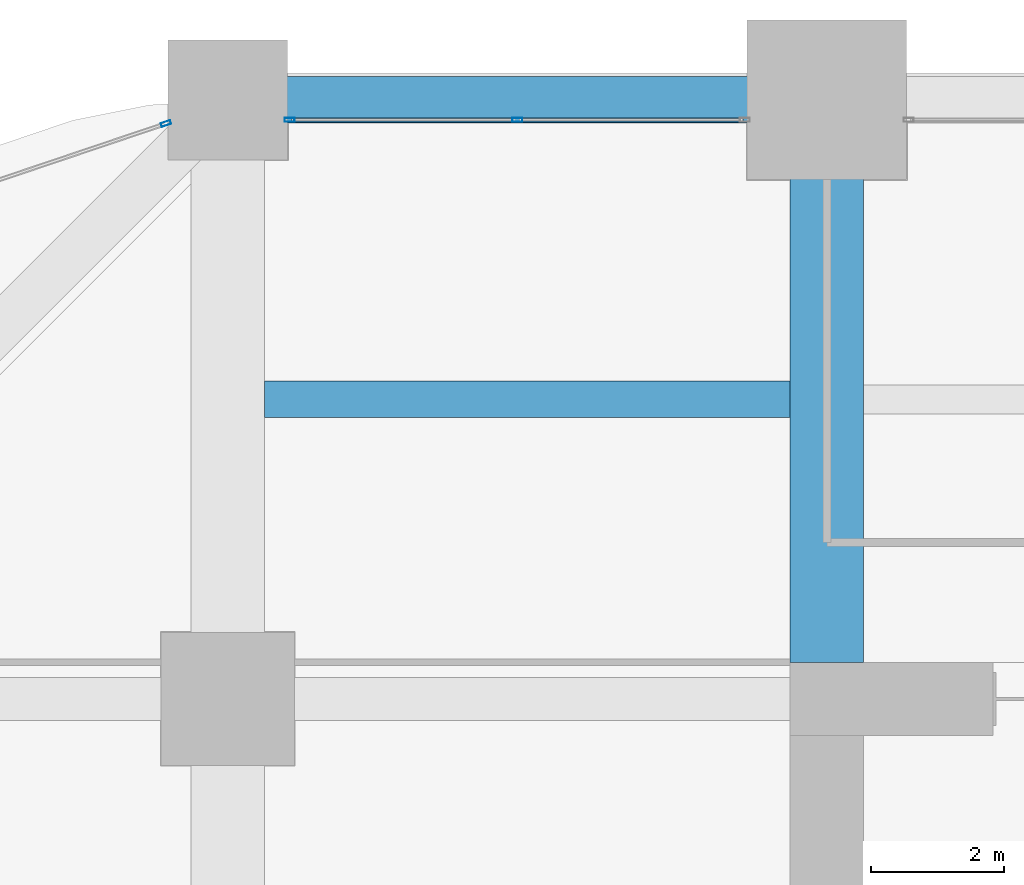
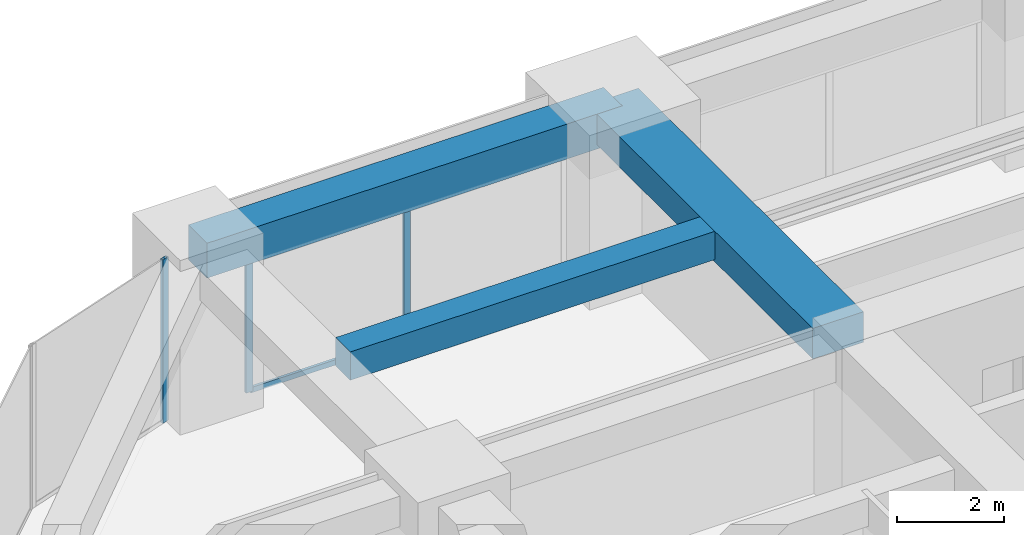
# One storey, part 27 of 39: 4 members, 3 beams, 2 elements without a shape of their own.
"""IFC4 building model written with IfcOpenShell, lengths in metres."""

from ifc_helpers import new_model, si_unit, direction, frame, origin, origin_2d, place, context, subcontext, project, spatial, rectangle, hollow_rectangle, extrude, material, material_profile, profile_set, type_object, element, aggregate, save


model = new_model("IFC4")

# Units and contexts
model_context = context("Model", 3, precision=1e-05, world=origin(), true_north=direction((0.0, 1.0)))
body_context = subcontext(model_context, "Body", "Model", "MODEL_VIEW")
ifc_project = project(units=[si_unit("LENGTHUNIT", "METRE"), si_unit("AREAUNIT", "SQUARE_METRE"), si_unit("VOLUMEUNIT", "CUBIC_METRE"), si_unit("PLANEANGLEUNIT", "RADIAN"), si_unit("MASSUNIT", "GRAM", prefix="KILO")], contexts=[model_context])

# Site, building, storey
site_placement = place(None, origin())
site = spatial("IfcSite", under=ifc_project, at=site_placement, CompositionType="ELEMENT")
building_placement = place(site_placement, origin())
building = spatial("IfcBuilding", under=site, at=building_placement, Name="Zorevar Civic Tower", CompositionType="ELEMENT")
storey_placement = place(building_placement, frame((0.0, 0.0, 117.0)))
storey = spatial("IfcBuildingStorey", under=building, at=storey_placement, Name="L28", CompositionType="ELEMENT", Elevation=117.0)

# Beams
ifc_material_1 = material(Name="Concrete C50/60", Category="concrete")
ifc_material_profile_1 = material_profile(ifc_material_1, rectangle(XDim=1.10009765625, YDim=0.699951171875, at=origin_2d()), Name="RC 1100x700")
ifc_profile_set_1 = profile_set([ifc_material_profile_1], Name="Concrete C50/60")
beam_type_1 = type_object("IfcBeamType", Name="Beam RC 1100x700", PredefinedType="BEAM", material=ifc_profile_set_1)
beam_1_placement = place(storey_placement, frame((18.0, 36.550048828125, 3.39990234375), z_axis=(0.0, 1.0, 0.0), x_axis=(-1.0, 0.0, 0.0)))
element("IfcBeam", 1, at=beam_1_placement, inside=storey, type_object=beam_type_1, Name="Girder L29", PredefinedType="BEAM", context=body_context, shape_type="SweptSolid", body=[
    extrude(rectangle(XDim=1.10009765625, YDim=0.699951171875, at=origin_2d()), origin(), (0.0, 0.0, 1.0), 8.449951171875),
])
ifc_material_2 = material(Name="Concrete C50/60", Category="concrete")
ifc_material_profile_2 = material_profile(ifc_material_2, rectangle(XDim=0.550048828125, YDim=0.64990234375, at=origin_2d()), Name="RC 550x650")
ifc_profile_set_2 = profile_set([ifc_material_profile_2], Name="Concrete C50/60")
beam_type_2 = type_object("IfcBeamType", Name="Beam RC 550x650", PredefinedType="BEAM", material=ifc_profile_set_2)
beam_2_placement = place(storey_placement, frame((9.550048828125, 40.5, 3.425048828125), z_axis=(1.0, 0.0, 0.0), x_axis=(0.0, 1.0, 0.0)))
element("IfcBeam", 2, at=beam_2_placement, inside=storey, type_object=beam_type_2, Name="Secondary beam L29", PredefinedType="BEAM", context=body_context, shape_type="SweptSolid", body=[
    extrude(rectangle(XDim=0.550048828125, YDim=0.64990234375, at=origin_2d()), origin(), (0.0, 0.0, 1.0), 7.89990234375),
])

# Curtain wall, members
ifc_material_3 = material(Name="Dark grey solar-control glass in black aluminium frame", Category="aluminium")
curtain_wall_type = type_object("IfcCurtainWallType", Name="Curtain wall CW3 mid zone", PredefinedType="NOTDEFINED", material=ifc_material_3)
curtain_wall_1_placement = place(storey_placement, origin())
curtain_wall_1 = element("IfcCurtainWall", 3, at=curtain_wall_1_placement, inside=storey, type_object=curtain_wall_type, Name="CW3 L28", PredefinedType="NOTDEFINED")
ifc_material_4 = material(Name="Aluminium, black anodised", Category="aluminium")
ifc_material_profile_3 = material_profile(ifc_material_4, hollow_rectangle(XDim=0.06005859375, YDim=0.14990234375, WallThickness=0.00390625, at=origin_2d()), Name="AL 150x60x4")
ifc_profile_set_3 = profile_set([ifc_material_profile_3], Name="Aluminium, black anodised")
member_type_1 = type_object("IfcMemberType", Name="CW3 mullion AL 150x60x4", PredefinedType="MULLION", material=ifc_profile_set_3)
member_1_placement = place(storey_placement, frame((9.929931640625, 44.699951171875, 0.0), z_axis=(0.0, 0.0, 1.0), x_axis=(0.0, 1.0, 0.0)))
member_1 = element("IfcMember", 4, at=member_1_placement, type_object=member_type_1, Name="CW3 mullion 1", PredefinedType="MULLION", context=body_context, shape_type="SweptSolid", body=[
    extrude(hollow_rectangle(XDim=0.06005859375, YDim=0.14990234375, WallThickness=0.00390625, at=origin_2d()), origin(), (0.0, 0.0, 1.0), 2.949951171875),
])
member_2_placement = place(storey_placement, frame((13.35009765625, 44.699951171875, 0.06005859375), z_axis=(0.0, 0.0, 1.0), x_axis=(0.0, 1.0, 0.0)))
member_2 = element("IfcMember", 5, at=member_2_placement, type_object=member_type_1, Name="CW3 mullion 2", PredefinedType="MULLION", context=body_context, shape_type="SweptSolid", body=[
    extrude(hollow_rectangle(XDim=0.06005859375, YDim=0.14990234375, WallThickness=0.00390625, at=origin_2d()), origin(), (0.0, 0.0, 1.0), 2.889892578125),
])

# Curtain wall, member
curtain_wall_2_placement = place(storey_placement, origin())
curtain_wall_2 = element("IfcCurtainWall", 6, at=curtain_wall_2_placement, inside=storey, type_object=curtain_wall_type, Name="CW3 L28", PredefinedType="NOTDEFINED")
member_3_placement = place(storey_placement, frame((8.071533203125, 44.643798828125, 0.0), z_axis=(0.0, 0.0, 1.0), x_axis=(0.319412525043, -0.947615765406, 0.0)))
member_3 = element("IfcMember", 7, at=member_3_placement, type_object=member_type_1, Name="CW3 mullion 1", PredefinedType="MULLION", context=body_context, shape_type="SweptSolid", body=[
    extrude(hollow_rectangle(XDim=0.06005859375, YDim=0.14990234375, WallThickness=0.00390625, at=origin_2d()), origin(), (0.0, 0.0, 1.0), 3.75),
])
aggregate(curtain_wall_2, [member_3])

# Member
ifc_material_5 = material(Name="Aluminium, black anodised", Category="aluminium")
ifc_material_profile_4 = material_profile(ifc_material_5, hollow_rectangle(XDim=0.06005859375, YDim=0.1201171875, WallThickness=0.0029296875, at=origin_2d()), Name="AL 120x60x3")
ifc_profile_set_4 = profile_set([ifc_material_profile_4], Name="Aluminium, black anodised")
member_type_2 = type_object("IfcMemberType", Name="CW3 transom AL 120x60x3", PredefinedType="USERDEFINED", material=ifc_profile_set_4)
member_4_placement = place(storey_placement, frame((9.9599609375, 44.699951171875, 0.030029296875), z_axis=(1.0, 0.0, 0.0), x_axis=(0.0, 1.0, 0.0)))
member_4 = element("IfcMember", 8, at=member_4_placement, type_object=member_type_2, Name="CW3 sill transom", ObjectType="TRANSOM", PredefinedType="USERDEFINED", context=body_context, shape_type="SweptSolid", body=[
    extrude(hollow_rectangle(XDim=0.06005859375, YDim=0.1201171875, WallThickness=0.0029296875, at=origin_2d()), origin(), (0.0, 0.0, 1.0), 6.780029296875),
])

aggregate(curtain_wall_1, [member_1, member_2, member_4])

# Beam
ifc_material_6 = material(Name="Concrete C50/60", Category="concrete")
ifc_material_profile_5 = material_profile(ifc_material_6, rectangle(XDim=0.699951171875, YDim=0.800048828125, at=origin_2d()), Name="RC 700x800")
ifc_profile_set_5 = profile_set([ifc_material_profile_5], Name="Concrete C50/60")
beam_type_3 = type_object("IfcBeamType", Name="Edge beam RC 700x800", PredefinedType="SPANDREL", material=ifc_profile_set_5)
beam_3_placement = place(storey_placement, frame((9.0, 45.0, 3.35009765625), z_axis=(1.0, 0.0, 0.0), x_axis=(0.0, 1.0, 0.0)))
element("IfcBeam", 9, at=beam_3_placement, inside=storey, type_object=beam_type_3, Name="Edge beam L29", PredefinedType="SPANDREL", context=body_context, shape_type="SweptSolid", body=[
    extrude(rectangle(XDim=0.699951171875, YDim=0.800048828125, at=origin_2d()), origin(), (0.0, 0.0, 1.0), 9.0),
])

save(model, "model.ifc")
